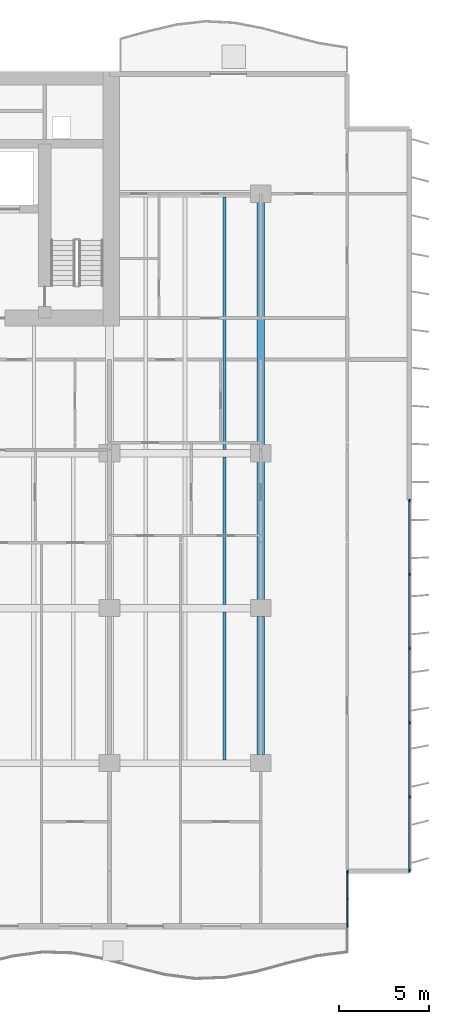
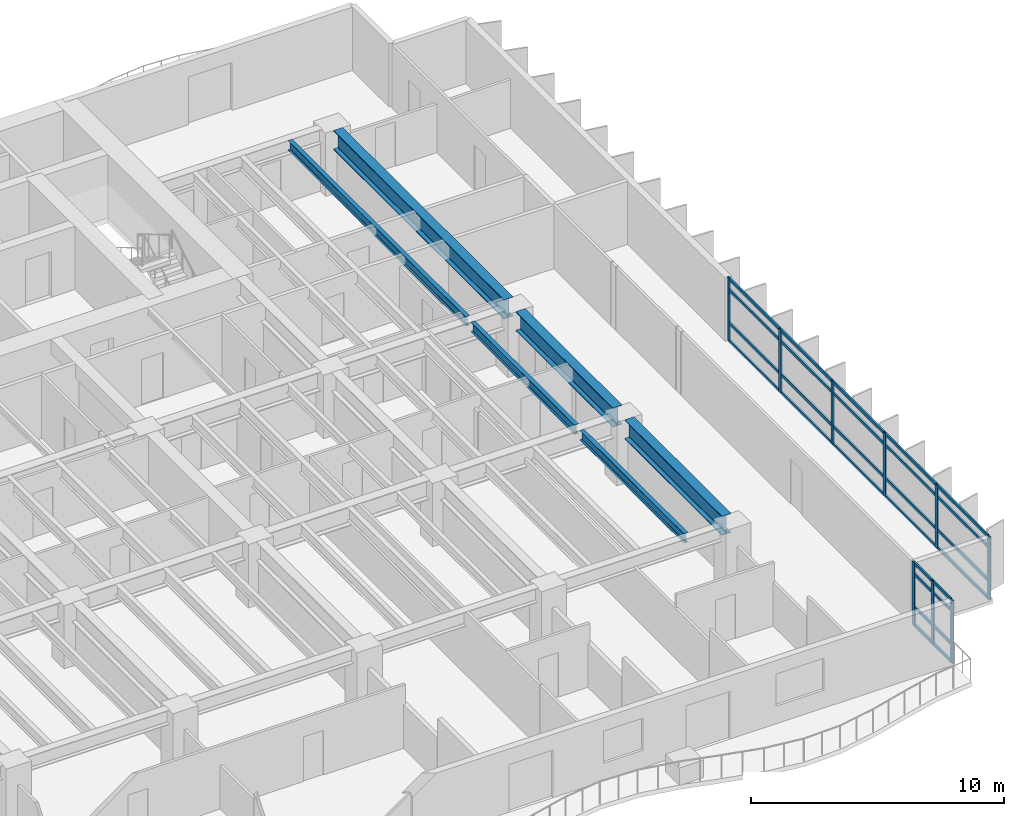
# One storey, part 4 of 17: 37 members, 6 beams, 2 elements without a shape of their own.
"""IFC4 building model written with IfcOpenShell, lengths in metres."""

from ifc_helpers import new_model, si_unit, direction, frame, origin, origin_2d, place, context, subcontext, project, spatial, rectangle, i_section, extrude, material, layer, layer_set, material_profile, profile_set, type_object, element, aggregate, save


model = new_model("IFC4")

# Units and contexts
model_context = context("Model", 3, precision=1e-05, world=origin(), true_north=direction((0.0, 1.0)))
body_context = subcontext(model_context, "Body", "Model", "MODEL_VIEW")
ifc_project = project(units=[si_unit("LENGTHUNIT", "METRE"), si_unit("AREAUNIT", "SQUARE_METRE"), si_unit("VOLUMEUNIT", "CUBIC_METRE"), si_unit("PLANEANGLEUNIT", "RADIAN"), si_unit("MASSUNIT", "GRAM", prefix="KILO")], contexts=[model_context])

# Site, building, storey
site_placement = place(None, origin())
site = spatial("IfcSite", under=ifc_project, at=site_placement, CompositionType="ELEMENT")
building_placement = place(site_placement, origin())
building = spatial("IfcBuilding", under=site, at=building_placement, Name="Caelmar Bay Residences", CompositionType="ELEMENT")
storey_placement = place(building_placement, frame((0.0, 0.0, 53.10009765625)))
storey = spatial("IfcBuildingStorey", under=building, at=storey_placement, Name="L13", CompositionType="ELEMENT", Elevation=53.10009765625)

# Beams
ifc_material_1 = material(Name="Steel ASTM A992 Grade 50", Category="steel")
ifc_material_profile_1 = material_profile(ifc_material_1, i_section(OverallWidth=0.422119140625, OverallDepth=0.925048828125, WebThickness=0.021240234375, FlangeThickness=0.03662109375, FilletRadius=0.020263671875, at=origin_2d()), Name="W36X262")
ifc_profile_set_1 = profile_set([ifc_material_profile_1], Name="Steel ASTM A992 Grade 50")
beam_type_1 = type_object("IfcBeamType", Name="BM-GRD-W36X262", PredefinedType="BEAM", material=ifc_profile_set_1)
beam_1_placement = place(storey_placement, frame((67.89990234375, 12.6650390625, 2.58740234375), z_axis=(0.0, 1.0, 0.0), x_axis=(-1.0, 0.0, 0.0)))
element("IfcBeam", 1, at=beam_1_placement, inside=storey, type_object=beam_type_1, Name="L13 North-South Girder X=67.90 (12.2-20.8)", PredefinedType="BEAM", context=body_context, shape_type="SweptSolid", body=[
    extrude(i_section(OverallWidth=0.422119140625, OverallDepth=0.925048828125, WebThickness=0.021240234375, FlangeThickness=0.03662109375, FilletRadius=0.020263671875, at=origin_2d()), origin(), (0.0, 0.0, 1.0), 7.669921875),
])
beam_2_placement = place(storey_placement, frame((67.89990234375, 21.264892578125, 2.58740234375), z_axis=(0.0, 1.0, 0.0), x_axis=(-1.0, 0.0, 0.0)))
element("IfcBeam", 2, at=beam_2_placement, inside=storey, type_object=beam_type_1, Name="L13 North-South Girder X=67.90 (20.8-29.4)", PredefinedType="BEAM", context=body_context, shape_type="SweptSolid", body=[
    extrude(i_section(OverallWidth=0.422119140625, OverallDepth=0.925048828125, WebThickness=0.021240234375, FlangeThickness=0.03662109375, FilletRadius=0.020263671875, at=origin_2d()), origin(), (0.0, 0.0, 1.0), 7.670166015625),
])
beam_3_placement = place(storey_placement, frame((67.89990234375, 29.864990234375, 2.58740234375), z_axis=(0.0, 1.0, 0.0), x_axis=(-1.0, 0.0, 0.0)))
element("IfcBeam", 3, at=beam_3_placement, inside=storey, type_object=beam_type_1, Name="L13 North-South Girder X=67.90 (29.4-43.8)", PredefinedType="BEAM", context=body_context, shape_type="SweptSolid", body=[
    extrude(i_section(OverallWidth=0.422119140625, OverallDepth=0.925048828125, WebThickness=0.021240234375, FlangeThickness=0.03662109375, FilletRadius=0.020263671875, at=origin_2d()), origin(), (0.0, 0.0, 1.0), 13.469970703125),
])
ifc_material_profile_2 = material_profile(ifc_material_1, i_section(OverallWidth=0.19091796875, OverallDepth=0.45703125, WebThickness=0.009033203125, FlangeThickness=0.014404296875, FilletRadius=0.01025390625, at=origin_2d()), Name="W18X50")
ifc_profile_set_2 = profile_set([ifc_material_profile_2], Name="Steel ASTM A992 Grade 50")
beam_type_2 = type_object("IfcBeamType", Name="BM-JST-W18X50", PredefinedType="JOIST", material=ifc_profile_set_2)
beam_4_placement = place(storey_placement, frame((65.884033203125, 12.3779296875, 2.8212890625), z_axis=(0.0, 1.0, 0.0), x_axis=(-1.0, 0.0, 0.0)))
element("IfcBeam", 4, at=beam_4_placement, inside=storey, type_object=beam_type_2, Name="L13 Composite Floor Joist 21", PredefinedType="JOIST", context=body_context, shape_type="SweptSolid", body=[
    extrude(i_section(OverallWidth=0.19091796875, OverallDepth=0.45703125, WebThickness=0.009033203125, FlangeThickness=0.014404296875, FilletRadius=0.01025390625, at=origin_2d()), origin(), (0.0, 0.0, 1.0), 8.211181640625),
])
beam_5_placement = place(storey_placement, frame((65.884033203125, 21.010986328125, 2.8212890625), z_axis=(0.0, 1.0, 0.0), x_axis=(-1.0, 0.0, 0.0)))
element("IfcBeam", 5, at=beam_5_placement, inside=storey, type_object=beam_type_2, Name="L13 Composite Floor Joist 42", PredefinedType="JOIST", context=body_context, shape_type="SweptSolid", body=[
    extrude(i_section(OverallWidth=0.19091796875, OverallDepth=0.45703125, WebThickness=0.009033203125, FlangeThickness=0.014404296875, FilletRadius=0.01025390625, at=origin_2d()), origin(), (0.0, 0.0, 1.0), 8.177978515625),
])
beam_6_placement = place(storey_placement, frame((65.884033203125, 29.611083984375, 2.8212890625), z_axis=(0.0, 1.0, 0.0), x_axis=(-1.0, 0.0, 0.0)))
element("IfcBeam", 6, at=beam_6_placement, inside=storey, type_object=beam_type_2, Name="L13 Composite Floor Joist 53", PredefinedType="JOIST", context=body_context, shape_type="SweptSolid", body=[
    extrude(i_section(OverallWidth=0.19091796875, OverallDepth=0.45703125, WebThickness=0.009033203125, FlangeThickness=0.014404296875, FilletRadius=0.01025390625, at=origin_2d()), origin(), (0.0, 0.0, 1.0), 14.010986328125),
])

# Curtain wall, members
ifc_material_2 = material(Name="Anodised bronze aluminium 6063-T6 and laminated glass", Category="aluminium")
ifc_layer_1 = layer(ifc_material_2, 0.179931640625)
ifc_layer_set_1 = layer_set([ifc_layer_1], Name="Anodised bronze aluminium 6063-T6 and laminated glass")
curtain_wall_type_1 = type_object("IfcCurtainWallType", Name="CW6-NTC", PredefinedType="NOTDEFINED", material=ifc_layer_set_1)
curtain_wall_1_placement = place(storey_placement, origin())
curtain_wall_1 = element("IfcCurtainWall", 7, at=curtain_wall_1_placement, inside=storey, type_object=curtain_wall_type_1, Name="CW6 curtain wall L13", PredefinedType="NOTDEFINED")
ifc_material_3 = material(Name="Anodised bronze aluminium 6063-T6", Category="aluminium")
ifc_material_profile_3 = material_profile(ifc_material_3, rectangle(XDim=0.080078125, YDim=0.179931640625, at=origin_2d()), Name="CWM-80X180")
ifc_profile_set_3 = profile_set([ifc_material_profile_3], Name="Anodised bronze aluminium 6063-T6")
member_type_1 = type_object("IfcMemberType", Name="CWM-180", PredefinedType="MULLION", material=ifc_profile_set_3)
member_1_placement = place(storey_placement, frame((72.699951171875, 3.18994140625, 0.0), z_axis=(0.0, 0.0, 1.0), x_axis=(-1.0, 0.0, 0.0)))
member_1 = element("IfcMember", 8, at=member_1_placement, type_object=member_type_1, Name="CW6 mullion 1", PredefinedType="MULLION", context=body_context, shape_type="SweptSolid", body=[
    extrude(rectangle(XDim=0.080078125, YDim=0.179931640625, at=origin_2d()), origin(), (0.0, 0.0, 1.0), 3.0498046875),
])
member_2_placement = place(storey_placement, frame((72.699951171875, 4.675048828125, 0.0), z_axis=(0.0, 0.0, 1.0), x_axis=(-1.0, 0.0, 0.0)))
member_2 = element("IfcMember", 9, at=member_2_placement, type_object=member_type_1, Name="CW6 mullion 2", PredefinedType="MULLION", context=body_context, shape_type="SweptSolid", body=[
    extrude(rectangle(XDim=0.080078125, YDim=0.179931640625, at=origin_2d()), origin(), (0.0, 0.0, 1.0), 3.0498046875),
])
member_3_placement = place(storey_placement, frame((72.699951171875, 6.159912109375, 0.0), z_axis=(0.0, 0.0, 1.0), x_axis=(-1.0, 0.0, 0.0)))
member_3 = element("IfcMember", 10, at=member_3_placement, type_object=member_type_1, Name="CW6 mullion 3", PredefinedType="MULLION", context=body_context, shape_type="SweptSolid", body=[
    extrude(rectangle(XDim=0.080078125, YDim=0.179931640625, at=origin_2d()), origin(), (0.0, 0.0, 1.0), 3.0498046875),
])

ifc_layer_2 = layer(ifc_material_2, 0.179931640625)
ifc_layer_set_2 = layer_set([ifc_layer_2], Name="Anodised bronze aluminium 6063-T6 and laminated glass")
curtain_wall_type_2 = type_object("IfcCurtainWallType", Name="CW2-Z1", PredefinedType="NOTDEFINED", material=ifc_layer_set_2)
curtain_wall_2_placement = place(storey_placement, origin())
curtain_wall_2 = element("IfcCurtainWall", 11, at=curtain_wall_2_placement, inside=storey, type_object=curtain_wall_type_2, Name="CW2 curtain wall L13", PredefinedType="NOTDEFINED")
member_4_placement = place(storey_placement, frame((76.14990234375, 26.760009765625, 0.0), z_axis=(0.0, 0.0, 1.0), x_axis=(1.0, 0.0, 0.0)))
member_4 = element("IfcMember", 12, at=member_4_placement, type_object=member_type_1, Name="CW2 mullion 1", PredefinedType="MULLION", context=body_context, shape_type="SweptSolid", body=[
    extrude(rectangle(XDim=0.080078125, YDim=0.179931640625, at=origin_2d()), origin(), (0.0, 0.0, 1.0), 3.0498046875),
])
member_5_placement = place(storey_placement, frame((76.14990234375, 22.679931640625, 0.0), z_axis=(0.0, 0.0, 1.0), x_axis=(1.0, 0.0, 0.0)))
member_5 = element("IfcMember", 13, at=member_5_placement, type_object=member_type_1, Name="CW2 mullion 2", PredefinedType="MULLION", context=body_context, shape_type="SweptSolid", body=[
    extrude(rectangle(XDim=0.080078125, YDim=0.179931640625, at=origin_2d()), origin(), (0.0, 0.0, 1.0), 3.0498046875),
])
member_6_placement = place(storey_placement, frame((76.14990234375, 18.56005859375, 0.0), z_axis=(0.0, 0.0, 1.0), x_axis=(1.0, 0.0, 0.0)))
member_6 = element("IfcMember", 14, at=member_6_placement, type_object=member_type_1, Name="CW2 mullion 3", PredefinedType="MULLION", context=body_context, shape_type="SweptSolid", body=[
    extrude(rectangle(XDim=0.080078125, YDim=0.179931640625, at=origin_2d()), origin(), (0.0, 0.0, 1.0), 3.0498046875),
])
member_7_placement = place(storey_placement, frame((76.14990234375, 14.43994140625, 0.0), z_axis=(0.0, 0.0, 1.0), x_axis=(1.0, 0.0, 0.0)))
member_7 = element("IfcMember", 15, at=member_7_placement, type_object=member_type_1, Name="CW2 mullion 4", PredefinedType="MULLION", context=body_context, shape_type="SweptSolid", body=[
    extrude(rectangle(XDim=0.080078125, YDim=0.179931640625, at=origin_2d()), origin(), (0.0, 0.0, 1.0), 3.0498046875),
])
member_8_placement = place(storey_placement, frame((76.14990234375, 10.320068359375, 0.0), z_axis=(0.0, 0.0, 1.0), x_axis=(1.0, 0.0, 0.0)))
member_8 = element("IfcMember", 16, at=member_8_placement, type_object=member_type_1, Name="CW2 mullion 5", PredefinedType="MULLION", context=body_context, shape_type="SweptSolid", body=[
    extrude(rectangle(XDim=0.080078125, YDim=0.179931640625, at=origin_2d()), origin(), (0.0, 0.0, 1.0), 3.0498046875),
])
member_9_placement = place(storey_placement, frame((76.14990234375, 6.239990234375, 0.0), z_axis=(0.0, 0.0, 1.0), x_axis=(1.0, 0.0, 0.0)))
member_9 = element("IfcMember", 17, at=member_9_placement, type_object=member_type_1, Name="CW2 mullion 6", PredefinedType="MULLION", context=body_context, shape_type="SweptSolid", body=[
    extrude(rectangle(XDim=0.080078125, YDim=0.179931640625, at=origin_2d()), origin(), (0.0, 0.0, 1.0), 3.0498046875),
])

# Member
ifc_material_profile_4 = material_profile(ifc_material_3, rectangle(XDim=0.080078125, YDim=0.139892578125, at=origin_2d()), Name="CWT-80X140")
ifc_profile_set_4 = profile_set([ifc_material_profile_4], Name="Anodised bronze aluminium 6063-T6")
member_type_2 = type_object("IfcMemberType", Name="CWT-140", PredefinedType="NOTDEFINED", material=ifc_profile_set_4)
member_10_placement = place(storey_placement, frame((72.699951171875, 3.22998046875, 0.039794921875), z_axis=(0.0, 1.0, 0.0), x_axis=(-1.0, 0.0, 0.0)))
member_10 = element("IfcMember", 18, at=member_10_placement, type_object=member_type_2, Name="CW6 transom 1.1", ObjectType="TRANSOM", PredefinedType="USERDEFINED", context=body_context, shape_type="SweptSolid", body=[
    extrude(rectangle(XDim=0.080078125, YDim=0.139892578125, at=origin_2d()), origin(), (0.0, 0.0, 1.0), 1.405029296875),
])

member_11_placement = place(storey_placement, frame((72.699951171875, 3.22998046875, 0.89990234375), z_axis=(0.0, 1.0, 0.0), x_axis=(-1.0, 0.0, 0.0)))
member_11 = element("IfcMember", 19, at=member_11_placement, type_object=member_type_2, Name="CW6 transom 1.2", ObjectType="TRANSOM", PredefinedType="USERDEFINED", context=body_context, shape_type="SweptSolid", body=[
    extrude(rectangle(XDim=0.080078125, YDim=0.139892578125, at=origin_2d()), origin(), (0.0, 0.0, 1.0), 1.405029296875),
])

member_12_placement = place(storey_placement, frame((72.699951171875, 3.22998046875, 2.5), z_axis=(0.0, 1.0, 0.0), x_axis=(-1.0, 0.0, 0.0)))
member_12 = element("IfcMember", 20, at=member_12_placement, type_object=member_type_2, Name="CW6 transom 1.3", ObjectType="TRANSOM", PredefinedType="USERDEFINED", context=body_context, shape_type="SweptSolid", body=[
    extrude(rectangle(XDim=0.080078125, YDim=0.139892578125, at=origin_2d()), origin(), (0.0, 0.0, 1.0), 1.405029296875),
])

member_13_placement = place(storey_placement, frame((72.699951171875, 3.22998046875, 3.010009765625), z_axis=(0.0, 1.0, 0.0), x_axis=(-1.0, 0.0, 0.0)))
member_13 = element("IfcMember", 21, at=member_13_placement, type_object=member_type_2, Name="CW6 transom 1.4", ObjectType="TRANSOM", PredefinedType="USERDEFINED", context=body_context, shape_type="SweptSolid", body=[
    extrude(rectangle(XDim=0.080078125, YDim=0.139892578125, at=origin_2d()), origin(), (0.0, 0.0, 1.0), 1.405029296875),
])

member_14_placement = place(storey_placement, frame((72.699951171875, 4.715087890625, 0.039794921875), z_axis=(0.0, 1.0, 0.0), x_axis=(-1.0, 0.0, 0.0)))
member_14 = element("IfcMember", 22, at=member_14_placement, type_object=member_type_2, Name="CW6 transom 2.1", ObjectType="TRANSOM", PredefinedType="USERDEFINED", context=body_context, shape_type="SweptSolid", body=[
    extrude(rectangle(XDim=0.080078125, YDim=0.139892578125, at=origin_2d()), origin(), (0.0, 0.0, 1.0), 1.405029296875),
])

member_15_placement = place(storey_placement, frame((72.699951171875, 4.715087890625, 0.89990234375), z_axis=(0.0, 1.0, 0.0), x_axis=(-1.0, 0.0, 0.0)))
member_15 = element("IfcMember", 23, at=member_15_placement, type_object=member_type_2, Name="CW6 transom 2.2", ObjectType="TRANSOM", PredefinedType="USERDEFINED", context=body_context, shape_type="SweptSolid", body=[
    extrude(rectangle(XDim=0.080078125, YDim=0.139892578125, at=origin_2d()), origin(), (0.0, 0.0, 1.0), 1.405029296875),
])

member_16_placement = place(storey_placement, frame((72.699951171875, 4.715087890625, 2.5), z_axis=(0.0, 1.0, 0.0), x_axis=(-1.0, 0.0, 0.0)))
member_16 = element("IfcMember", 24, at=member_16_placement, type_object=member_type_2, Name="CW6 transom 2.3", ObjectType="TRANSOM", PredefinedType="USERDEFINED", context=body_context, shape_type="SweptSolid", body=[
    extrude(rectangle(XDim=0.080078125, YDim=0.139892578125, at=origin_2d()), origin(), (0.0, 0.0, 1.0), 1.405029296875),
])

member_17_placement = place(storey_placement, frame((72.699951171875, 4.715087890625, 3.010009765625), z_axis=(0.0, 1.0, 0.0), x_axis=(-1.0, 0.0, 0.0)))
member_17 = element("IfcMember", 25, at=member_17_placement, type_object=member_type_2, Name="CW6 transom 2.4", ObjectType="TRANSOM", PredefinedType="USERDEFINED", context=body_context, shape_type="SweptSolid", body=[
    extrude(rectangle(XDim=0.080078125, YDim=0.139892578125, at=origin_2d()), origin(), (0.0, 0.0, 1.0), 1.405029296875),
])

aggregate(curtain_wall_1, [member_1, member_2, member_3, member_10, member_11, member_12, member_13, member_14, member_15, member_16, member_17])

member_18_placement = place(storey_placement, frame((76.14990234375, 26.719970703125, 0.039794921875), z_axis=(0.0, -1.0, 0.0), x_axis=(1.0, 0.0, 0.0)))
member_18 = element("IfcMember", 26, at=member_18_placement, type_object=member_type_2, Name="CW2 transom 1.1", ObjectType="TRANSOM", PredefinedType="USERDEFINED", context=body_context, shape_type="SweptSolid", body=[
    extrude(rectangle(XDim=0.080078125, YDim=0.139892578125, at=origin_2d()), origin(), (0.0, 0.0, 1.0), 4.0),
])

member_19_placement = place(storey_placement, frame((76.14990234375, 26.719970703125, 0.89990234375), z_axis=(0.0, -1.0, 0.0), x_axis=(1.0, 0.0, 0.0)))
member_19 = element("IfcMember", 27, at=member_19_placement, type_object=member_type_2, Name="CW2 transom 1.2", ObjectType="TRANSOM", PredefinedType="USERDEFINED", context=body_context, shape_type="SweptSolid", body=[
    extrude(rectangle(XDim=0.080078125, YDim=0.139892578125, at=origin_2d()), origin(), (0.0, 0.0, 1.0), 4.0),
])

member_20_placement = place(storey_placement, frame((76.14990234375, 26.719970703125, 2.5), z_axis=(0.0, -1.0, 0.0), x_axis=(1.0, 0.0, 0.0)))
member_20 = element("IfcMember", 28, at=member_20_placement, type_object=member_type_2, Name="CW2 transom 1.3", ObjectType="TRANSOM", PredefinedType="USERDEFINED", context=body_context, shape_type="SweptSolid", body=[
    extrude(rectangle(XDim=0.080078125, YDim=0.139892578125, at=origin_2d()), origin(), (0.0, 0.0, 1.0), 4.0),
])

member_21_placement = place(storey_placement, frame((76.14990234375, 26.719970703125, 3.010009765625), z_axis=(0.0, -1.0, 0.0), x_axis=(1.0, 0.0, 0.0)))
member_21 = element("IfcMember", 29, at=member_21_placement, type_object=member_type_2, Name="CW2 transom 1.4", ObjectType="TRANSOM", PredefinedType="USERDEFINED", context=body_context, shape_type="SweptSolid", body=[
    extrude(rectangle(XDim=0.080078125, YDim=0.139892578125, at=origin_2d()), origin(), (0.0, 0.0, 1.0), 4.0),
])

member_22_placement = place(storey_placement, frame((76.14990234375, 22.639892578125, 0.039794921875), z_axis=(0.0, -1.0, 0.0), x_axis=(1.0, 0.0, 0.0)))
member_22 = element("IfcMember", 30, at=member_22_placement, type_object=member_type_2, Name="CW2 transom 2.1", ObjectType="TRANSOM", PredefinedType="USERDEFINED", context=body_context, shape_type="SweptSolid", body=[
    extrude(rectangle(XDim=0.080078125, YDim=0.139892578125, at=origin_2d()), origin(), (0.0, 0.0, 1.0), 4.039794921875),
])

member_23_placement = place(storey_placement, frame((76.14990234375, 22.639892578125, 0.89990234375), z_axis=(0.0, -1.0, 0.0), x_axis=(1.0, 0.0, 0.0)))
member_23 = element("IfcMember", 31, at=member_23_placement, type_object=member_type_2, Name="CW2 transom 2.2", ObjectType="TRANSOM", PredefinedType="USERDEFINED", context=body_context, shape_type="SweptSolid", body=[
    extrude(rectangle(XDim=0.080078125, YDim=0.139892578125, at=origin_2d()), origin(), (0.0, 0.0, 1.0), 4.039794921875),
])

member_24_placement = place(storey_placement, frame((76.14990234375, 22.639892578125, 2.5), z_axis=(0.0, -1.0, 0.0), x_axis=(1.0, 0.0, 0.0)))
member_24 = element("IfcMember", 32, at=member_24_placement, type_object=member_type_2, Name="CW2 transom 2.3", ObjectType="TRANSOM", PredefinedType="USERDEFINED", context=body_context, shape_type="SweptSolid", body=[
    extrude(rectangle(XDim=0.080078125, YDim=0.139892578125, at=origin_2d()), origin(), (0.0, 0.0, 1.0), 4.039794921875),
])

member_25_placement = place(storey_placement, frame((76.14990234375, 22.639892578125, 3.010009765625), z_axis=(0.0, -1.0, 0.0), x_axis=(1.0, 0.0, 0.0)))
member_25 = element("IfcMember", 33, at=member_25_placement, type_object=member_type_2, Name="CW2 transom 2.4", ObjectType="TRANSOM", PredefinedType="USERDEFINED", context=body_context, shape_type="SweptSolid", body=[
    extrude(rectangle(XDim=0.080078125, YDim=0.139892578125, at=origin_2d()), origin(), (0.0, 0.0, 1.0), 4.039794921875),
])

member_26_placement = place(storey_placement, frame((76.14990234375, 18.52001953125, 0.039794921875), z_axis=(0.0, -1.0, 0.0), x_axis=(1.0, 0.0, 0.0)))
member_26 = element("IfcMember", 34, at=member_26_placement, type_object=member_type_2, Name="CW2 transom 3.1", ObjectType="TRANSOM", PredefinedType="USERDEFINED", context=body_context, shape_type="SweptSolid", body=[
    extrude(rectangle(XDim=0.080078125, YDim=0.139892578125, at=origin_2d()), origin(), (0.0, 0.0, 1.0), 4.0400390625),
])

member_27_placement = place(storey_placement, frame((76.14990234375, 18.52001953125, 0.89990234375), z_axis=(0.0, -1.0, 0.0), x_axis=(1.0, 0.0, 0.0)))
member_27 = element("IfcMember", 35, at=member_27_placement, type_object=member_type_2, Name="CW2 transom 3.2", ObjectType="TRANSOM", PredefinedType="USERDEFINED", context=body_context, shape_type="SweptSolid", body=[
    extrude(rectangle(XDim=0.080078125, YDim=0.139892578125, at=origin_2d()), origin(), (0.0, 0.0, 1.0), 4.0400390625),
])

member_28_placement = place(storey_placement, frame((76.14990234375, 18.52001953125, 2.5), z_axis=(0.0, -1.0, 0.0), x_axis=(1.0, 0.0, 0.0)))
member_28 = element("IfcMember", 36, at=member_28_placement, type_object=member_type_2, Name="CW2 transom 3.3", ObjectType="TRANSOM", PredefinedType="USERDEFINED", context=body_context, shape_type="SweptSolid", body=[
    extrude(rectangle(XDim=0.080078125, YDim=0.139892578125, at=origin_2d()), origin(), (0.0, 0.0, 1.0), 4.0400390625),
])

member_29_placement = place(storey_placement, frame((76.14990234375, 18.52001953125, 3.010009765625), z_axis=(0.0, -1.0, 0.0), x_axis=(1.0, 0.0, 0.0)))
member_29 = element("IfcMember", 37, at=member_29_placement, type_object=member_type_2, Name="CW2 transom 3.4", ObjectType="TRANSOM", PredefinedType="USERDEFINED", context=body_context, shape_type="SweptSolid", body=[
    extrude(rectangle(XDim=0.080078125, YDim=0.139892578125, at=origin_2d()), origin(), (0.0, 0.0, 1.0), 4.0400390625),
])

member_30_placement = place(storey_placement, frame((76.14990234375, 14.39990234375, 0.039794921875), z_axis=(0.0, -1.0, 0.0), x_axis=(1.0, 0.0, 0.0)))
member_30 = element("IfcMember", 38, at=member_30_placement, type_object=member_type_2, Name="CW2 transom 4.1", ObjectType="TRANSOM", PredefinedType="USERDEFINED", context=body_context, shape_type="SweptSolid", body=[
    extrude(rectangle(XDim=0.080078125, YDim=0.139892578125, at=origin_2d()), origin(), (0.0, 0.0, 1.0), 4.039794921875),
])

member_31_placement = place(storey_placement, frame((76.14990234375, 14.39990234375, 0.89990234375), z_axis=(0.0, -1.0, 0.0), x_axis=(1.0, 0.0, 0.0)))
member_31 = element("IfcMember", 39, at=member_31_placement, type_object=member_type_2, Name="CW2 transom 4.2", ObjectType="TRANSOM", PredefinedType="USERDEFINED", context=body_context, shape_type="SweptSolid", body=[
    extrude(rectangle(XDim=0.080078125, YDim=0.139892578125, at=origin_2d()), origin(), (0.0, 0.0, 1.0), 4.039794921875),
])

member_32_placement = place(storey_placement, frame((76.14990234375, 14.39990234375, 2.5), z_axis=(0.0, -1.0, 0.0), x_axis=(1.0, 0.0, 0.0)))
member_32 = element("IfcMember", 40, at=member_32_placement, type_object=member_type_2, Name="CW2 transom 4.3", ObjectType="TRANSOM", PredefinedType="USERDEFINED", context=body_context, shape_type="SweptSolid", body=[
    extrude(rectangle(XDim=0.080078125, YDim=0.139892578125, at=origin_2d()), origin(), (0.0, 0.0, 1.0), 4.039794921875),
])

member_33_placement = place(storey_placement, frame((76.14990234375, 14.39990234375, 3.010009765625), z_axis=(0.0, -1.0, 0.0), x_axis=(1.0, 0.0, 0.0)))
member_33 = element("IfcMember", 41, at=member_33_placement, type_object=member_type_2, Name="CW2 transom 4.4", ObjectType="TRANSOM", PredefinedType="USERDEFINED", context=body_context, shape_type="SweptSolid", body=[
    extrude(rectangle(XDim=0.080078125, YDim=0.139892578125, at=origin_2d()), origin(), (0.0, 0.0, 1.0), 4.039794921875),
])

member_34_placement = place(storey_placement, frame((76.14990234375, 10.280029296875, 0.039794921875), z_axis=(0.0, -1.0, 0.0), x_axis=(1.0, 0.0, 0.0)))
member_34 = element("IfcMember", 42, at=member_34_placement, type_object=member_type_2, Name="CW2 transom 5.1", ObjectType="TRANSOM", PredefinedType="USERDEFINED", context=body_context, shape_type="SweptSolid", body=[
    extrude(rectangle(XDim=0.080078125, YDim=0.139892578125, at=origin_2d()), origin(), (0.0, 0.0, 1.0), 4.0),
])

member_35_placement = place(storey_placement, frame((76.14990234375, 10.280029296875, 0.89990234375), z_axis=(0.0, -1.0, 0.0), x_axis=(1.0, 0.0, 0.0)))
member_35 = element("IfcMember", 43, at=member_35_placement, type_object=member_type_2, Name="CW2 transom 5.2", ObjectType="TRANSOM", PredefinedType="USERDEFINED", context=body_context, shape_type="SweptSolid", body=[
    extrude(rectangle(XDim=0.080078125, YDim=0.139892578125, at=origin_2d()), origin(), (0.0, 0.0, 1.0), 4.0),
])

member_36_placement = place(storey_placement, frame((76.14990234375, 10.280029296875, 2.5), z_axis=(0.0, -1.0, 0.0), x_axis=(1.0, 0.0, 0.0)))
member_36 = element("IfcMember", 44, at=member_36_placement, type_object=member_type_2, Name="CW2 transom 5.3", ObjectType="TRANSOM", PredefinedType="USERDEFINED", context=body_context, shape_type="SweptSolid", body=[
    extrude(rectangle(XDim=0.080078125, YDim=0.139892578125, at=origin_2d()), origin(), (0.0, 0.0, 1.0), 4.0),
])

member_37_placement = place(storey_placement, frame((76.14990234375, 10.280029296875, 3.010009765625), z_axis=(0.0, -1.0, 0.0), x_axis=(1.0, 0.0, 0.0)))
member_37 = element("IfcMember", 45, at=member_37_placement, type_object=member_type_2, Name="CW2 transom 5.4", ObjectType="TRANSOM", PredefinedType="USERDEFINED", context=body_context, shape_type="SweptSolid", body=[
    extrude(rectangle(XDim=0.080078125, YDim=0.139892578125, at=origin_2d()), origin(), (0.0, 0.0, 1.0), 4.0),
])

aggregate(curtain_wall_2, [member_4, member_5, member_6, member_7, member_8, member_9, member_18, member_19, member_20, member_21, member_22, member_23, member_24, member_25, member_26, member_27, member_28, member_29, member_30, member_31, member_32, member_33, member_34, member_35, member_36, member_37])

save(model, "model.ifc")
